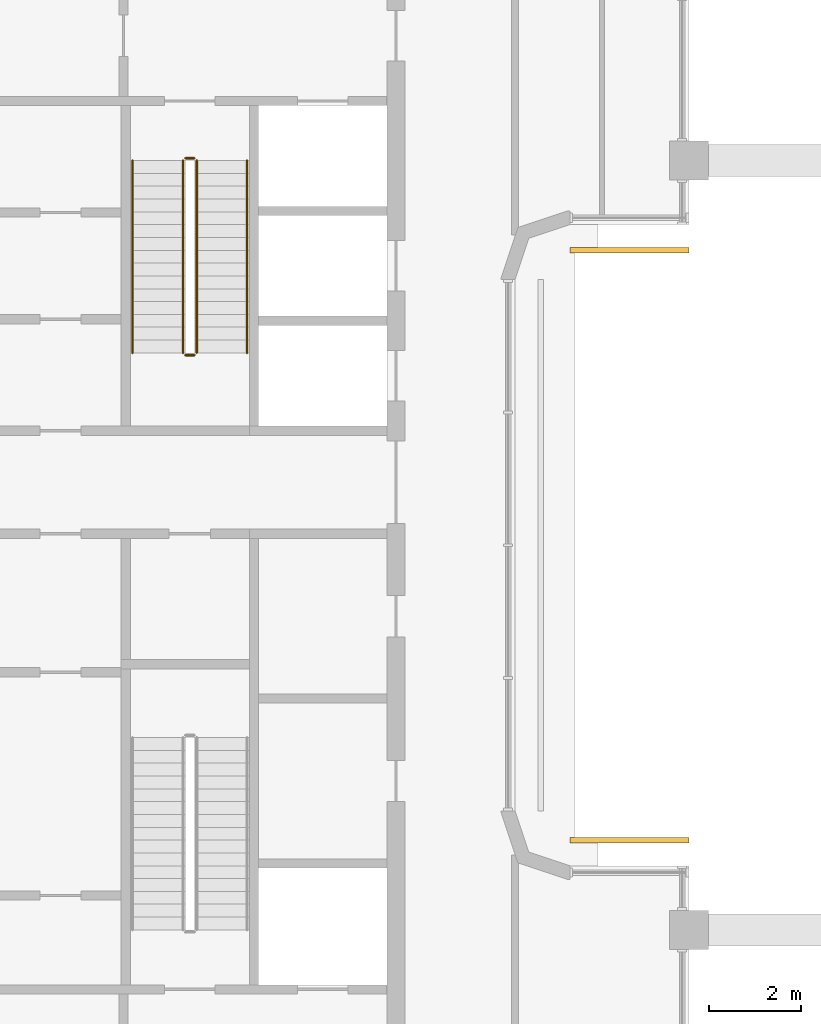
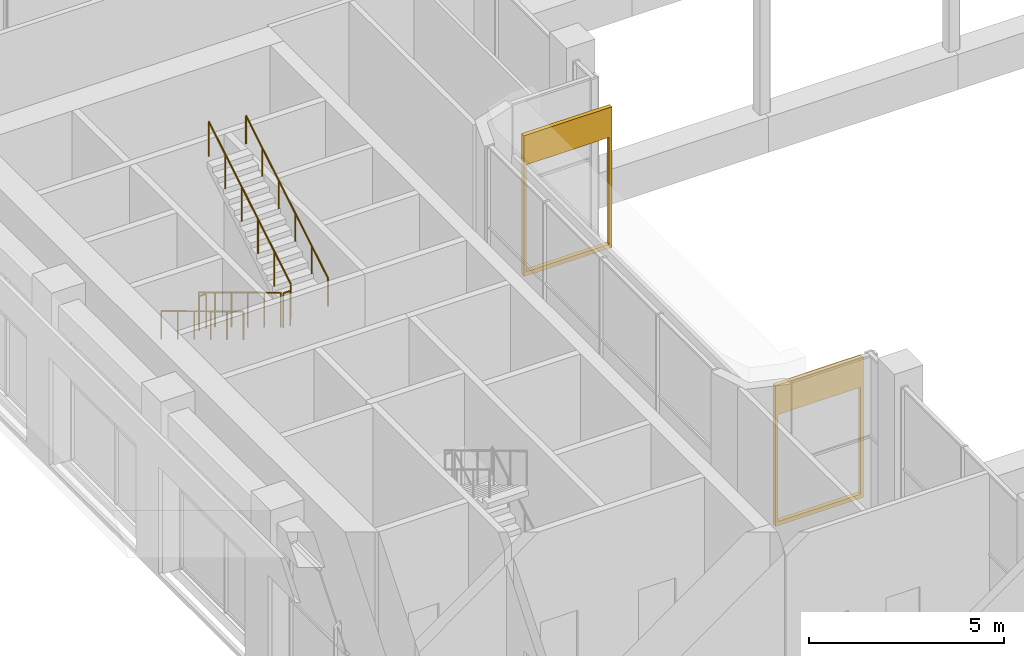
# One storey, part 24 of 28: 6 railings, 2 coverings.
"""IFC4 building model written with IfcOpenShell, lengths in metres."""

from ifc_helpers import new_model, si_unit, direction, frame, origin, origin_2d, place, context, subcontext, project, spatial, polyline, circle, outline, extrude, material, layer, layer_set, type_object, element, save


model = new_model("IFC4")

# Units and contexts
model_context = context("Model", 3, precision=1e-05, world=origin(), true_north=direction((0.0, 1.0)))
body_context = subcontext(model_context, "Body", "Model", "MODEL_VIEW")
ifc_project = project(units=[si_unit("LENGTHUNIT", "METRE"), si_unit("AREAUNIT", "SQUARE_METRE"), si_unit("VOLUMEUNIT", "CUBIC_METRE"), si_unit("PLANEANGLEUNIT", "RADIAN"), si_unit("MASSUNIT", "GRAM", prefix="KILO")], contexts=[model_context])

# Site, building, storey
site_placement = place(None, origin())
site = spatial("IfcSite", under=ifc_project, at=site_placement, CompositionType="ELEMENT")
building_placement = place(site_placement, origin())
building = spatial("IfcBuilding", under=site, at=building_placement, Name="Kiln Ring Residences", CompositionType="ELEMENT")
storey_placement = place(building_placement, frame((0.0, 0.0, 178.10009765625)))
storey = spatial("IfcBuildingStorey", under=building, at=storey_placement, Name="L46", CompositionType="ELEMENT", Elevation=178.10009765625)

# Railings
ifc_material_1 = material(Name="Stainless steel", Category="steel")
railing_type_1 = type_object("IfcRailingType", Name="CORE-STAIR-GUARD", PredefinedType="GUARDRAIL", material=ifc_material_1)
railing_1_placement = place(storey_placement, frame((-22.25, 8.39990234375, 0.168701171875)))
element("IfcRailing", 1, at=railing_1_placement, inside=storey, type_object=railing_type_1, Name="L46 W-STN stair guard 1", PredefinedType="GUARDRAIL", context=body_context, shape_type="SweptSolid", body=[
    extrude(circle(Radius=0.02392578125, at=origin_2d()), frame((0.0, 0.0, 1.076171875), z_axis=(0.0, -0.856476492594, 0.516186030065), x_axis=(1.0, 0.0, 0.0)), (0.0, 0.0, 1.0), 4.90380859375),
    extrude(circle(Radius=0.02099609375, at=origin_2d()), origin(), (0.0, 0.0, 1.0), 1.052001953125),
    extrude(circle(Radius=0.02099609375, at=origin_2d()), frame((0.0, -0.840087890625, 0.50634765625)), (0.0, 0.0, 1.0), 1.052001953125),
    extrude(circle(Radius=0.02099609375, at=origin_2d()), frame((0.0, -1.679931640625, 1.012451171875)), (0.0, 0.0, 1.0), 1.052001953125),
    extrude(circle(Radius=0.02099609375, at=origin_2d()), frame((0.0, -2.52001953125, 1.518798828125)), (0.0, 0.0, 1.0), 1.052001953125),
    extrude(circle(Radius=0.02099609375, at=origin_2d()), frame((0.0, -3.35986328125, 2.02490234375)), (0.0, 0.0, 1.0), 1.052001953125),
    extrude(circle(Radius=0.02099609375, at=origin_2d()), frame((0.0, -4.199951171875, 2.53125)), (0.0, 0.0, 1.0), 1.052001953125),
])
railing_2_placement = place(storey_placement, frame((-22.199951171875, 4.14990234375, 2.699951171875)))
element("IfcRailing", 2, at=railing_2_placement, inside=storey, type_object=railing_type_1, Name="L46 W-STN stair guard 2", PredefinedType="GUARDRAIL", context=body_context, shape_type="SweptSolid", body=[
    extrude(circle(Radius=0.02392578125, at=origin_2d()), frame((0.0, 0.0, 1.076171875), z_axis=(1.0, 0.0, 0.0), x_axis=(0.0, 1.0, 0.0)), (0.0, 0.0, 1.0), 0.199951171875),
    extrude(circle(Radius=0.02099609375, at=origin_2d()), origin(), (0.0, 0.0, 1.0), 1.052001953125),
    extrude(circle(Radius=0.02099609375, at=origin_2d()), frame((0.199951171875, 0.0, 0.0)), (0.0, 0.0, 1.0), 1.052001953125),
])
railing_3_placement = place(storey_placement, frame((-21.949951171875, 4.199951171875, 2.86865234375)))
element("IfcRailing", 3, at=railing_3_placement, inside=storey, type_object=railing_type_1, Name="L46 W-STN stair guard 3", PredefinedType="GUARDRAIL", context=body_context, shape_type="SweptSolid", body=[
    extrude(circle(Radius=0.02392578125, at=origin_2d()), frame((0.0, 0.0, 1.076171875), z_axis=(0.0, 0.856476492594, 0.516186030065), x_axis=(-1.0, 0.0, 0.0)), (0.0, 0.0, 1.0), 4.90380859375),
    extrude(circle(Radius=0.02099609375, at=origin_2d()), origin(), (0.0, 0.0, 1.0), 1.052001953125),
    extrude(circle(Radius=0.02099609375, at=origin_2d()), frame((0.0, 0.840087890625, 0.50634765625)), (0.0, 0.0, 1.0), 1.052001953125),
    extrude(circle(Radius=0.02099609375, at=origin_2d()), frame((0.0, 1.679931640625, 1.012451171875)), (0.0, 0.0, 1.0), 1.052001953125),
    extrude(circle(Radius=0.02099609375, at=origin_2d()), frame((0.0, 2.52001953125, 1.518798828125)), (0.0, 0.0, 1.0), 1.052001953125),
    extrude(circle(Radius=0.02099609375, at=origin_2d()), frame((0.0, 3.35986328125, 2.02490234375)), (0.0, 0.0, 1.0), 1.052001953125),
    extrude(circle(Radius=0.02099609375, at=origin_2d()), frame((0.0, 4.199951171875, 2.53125)), (0.0, 0.0, 1.0), 1.052001953125),
])
railing_4_placement = place(storey_placement, frame((-22.199951171875, 8.449951171875, 0.0)))
element("IfcRailing", 4, at=railing_4_placement, inside=storey, type_object=railing_type_1, Name="L46 W-STN stair guard 4", PredefinedType="GUARDRAIL", context=body_context, shape_type="SweptSolid", body=[
    extrude(circle(Radius=0.02392578125, at=origin_2d()), frame((0.0, 0.0, 1.076171875), z_axis=(1.0, 0.0, 0.0), x_axis=(0.0, 1.0, 0.0)), (0.0, 0.0, 1.0), 0.199951171875),
    extrude(circle(Radius=0.02099609375, at=origin_2d()), origin(), (0.0, 0.0, 1.0), 1.052001953125),
    extrude(circle(Radius=0.02099609375, at=origin_2d()), frame((0.199951171875, 0.0, 0.0)), (0.0, 0.0, 1.0), 1.052001953125),
])
ifc_material_2 = material(Name="Stainless steel", Category="steel")
railing_type_2 = type_object("IfcRailingType", Name="CORE-STAIR-HANDRAIL", PredefinedType="HANDRAIL", material=ifc_material_2)
railing_5_placement = place(storey_placement, frame((-23.35009765625, 8.39990234375, 0.168701171875)))
element("IfcRailing", 5, at=railing_5_placement, inside=storey, type_object=railing_type_2, Name="L46 W-STN stair handrail 1", PredefinedType="HANDRAIL", context=body_context, shape_type="SweptSolid", body=[
    extrude(circle(Radius=0.02392578125, at=origin_2d()), frame((0.0, 0.0, 0.8759765625), z_axis=(0.0, -0.856476492594, 0.516186030065), x_axis=(1.0, 0.0, 0.0)), (0.0, 0.0, 1.0), 4.90380859375),
    extrude(circle(Radius=0.02099609375, at=origin_2d()), origin(), (0.0, 0.0, 1.0), 0.851806640625),
    extrude(circle(Radius=0.02099609375, at=origin_2d()), frame((0.0, -0.840087890625, 0.50634765625)), (0.0, 0.0, 1.0), 0.851806640625),
    extrude(circle(Radius=0.02099609375, at=origin_2d()), frame((0.0, -1.679931640625, 1.012451171875)), (0.0, 0.0, 1.0), 0.851806640625),
    extrude(circle(Radius=0.02099609375, at=origin_2d()), frame((0.0, -2.52001953125, 1.518798828125)), (0.0, 0.0, 1.0), 0.851806640625),
    extrude(circle(Radius=0.02099609375, at=origin_2d()), frame((0.0, -3.35986328125, 2.02490234375)), (0.0, 0.0, 1.0), 0.851806640625),
    extrude(circle(Radius=0.02099609375, at=origin_2d()), frame((0.0, -4.199951171875, 2.53125)), (0.0, 0.0, 1.0), 0.851806640625),
])
railing_6_placement = place(storey_placement, frame((-20.85009765625, 4.199951171875, 2.86865234375)))
element("IfcRailing", 6, at=railing_6_placement, inside=storey, type_object=railing_type_2, Name="L46 W-STN stair handrail 2", PredefinedType="HANDRAIL", context=body_context, shape_type="SweptSolid", body=[
    extrude(circle(Radius=0.02392578125, at=origin_2d()), frame((0.0, 0.0, 0.8759765625), z_axis=(0.0, 0.856476492594, 0.516186030065), x_axis=(-1.0, 0.0, 0.0)), (0.0, 0.0, 1.0), 4.90380859375),
    extrude(circle(Radius=0.02099609375, at=origin_2d()), origin(), (0.0, 0.0, 1.0), 0.851806640625),
    extrude(circle(Radius=0.02099609375, at=origin_2d()), frame((0.0, 0.840087890625, 0.50634765625)), (0.0, 0.0, 1.0), 0.851806640625),
    extrude(circle(Radius=0.02099609375, at=origin_2d()), frame((0.0, 1.679931640625, 1.012451171875)), (0.0, 0.0, 1.0), 0.851806640625),
    extrude(circle(Radius=0.02099609375, at=origin_2d()), frame((0.0, 2.52001953125, 1.518798828125)), (0.0, 0.0, 1.0), 0.851806640625),
    extrude(circle(Radius=0.02099609375, at=origin_2d()), frame((0.0, 3.35986328125, 2.02490234375)), (0.0, 0.0, 1.0), 0.851806640625),
    extrude(circle(Radius=0.02099609375, at=origin_2d()), frame((0.0, 4.199951171875, 2.53125)), (0.0, 0.0, 1.0), 0.851806640625),
])

# Coverings
ifc_material_3 = material(Name="Brick masonry, dark clay brick", Category="masonry")
ifc_layer = layer(ifc_material_3, 0.1201171875)
ifc_layer_set = layer_set([ifc_layer], Name="RAINSCREEN PANEL 120")
covering_type = type_object("IfcCoveringType", Name="RAINSCREEN PANEL 120", PredefinedType="CLADDING", material=ifc_layer_set)
for number, where, z_axis, x_axis, name in (
    (7, (-11.199951171875, -6.43994140625, 0.0), (0.0, 0.0, 1.0), (-1.0, 0.0, 0.0), "RAINSCREEN L46"),
    (8, (-13.800048828125, 6.43994140625, 0.0), (0.0, 0.0, 1.0), (1.0, 0.0, 0.0), "RAINSCREEN L46"),
):
    element("IfcCovering", number, at=place(storey_placement, frame(where, z_axis=z_axis, x_axis=x_axis)), inside=storey, type_object=covering_type, Name=name, PredefinedType="CLADDING", context=body_context, shape_type="SweptSolid", body=[
        extrude(outline(polyline([(0.0, 0.0), (2.60009765625, 0.0), (2.60009765625, 4.39990234375), (0.0, 4.39990234375), (0.0, 0.0)]), holes=[polyline([(0.080078125, 3.469970703125), (0.080078125, 0.1298828125), (2.52001953125, 0.1298828125), (2.52001953125, 3.469970703125), (0.080078125, 3.469970703125)])]), frame((0.0, 0.06005859375, 0.0), z_axis=(0.0, -1.0, 0.0), x_axis=(1.0, 0.0, 0.0)), (0.0, 0.0, 1.0), 0.1201171875),
    ])

save(model, "model.ifc")
